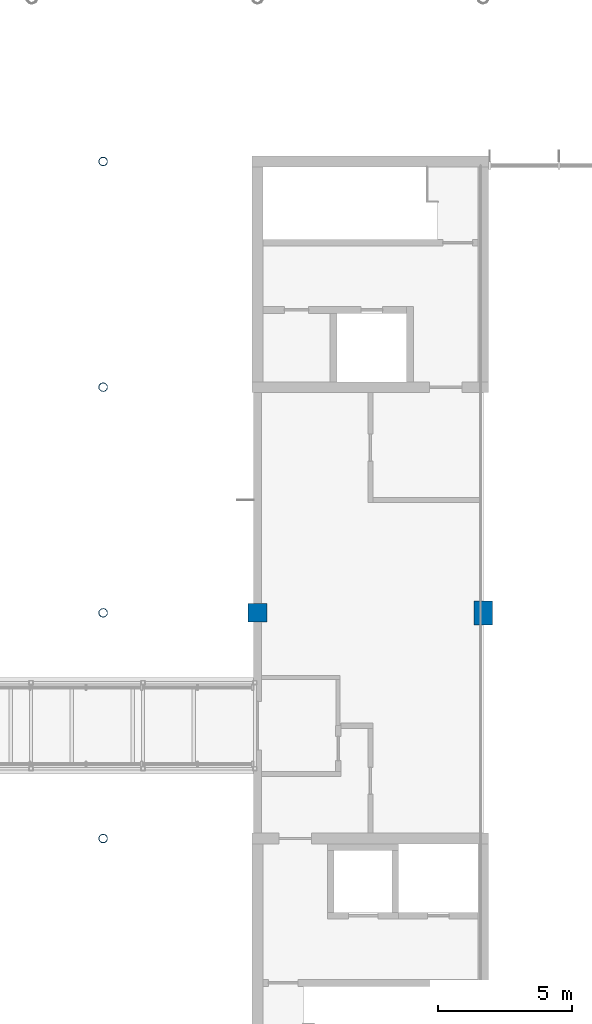
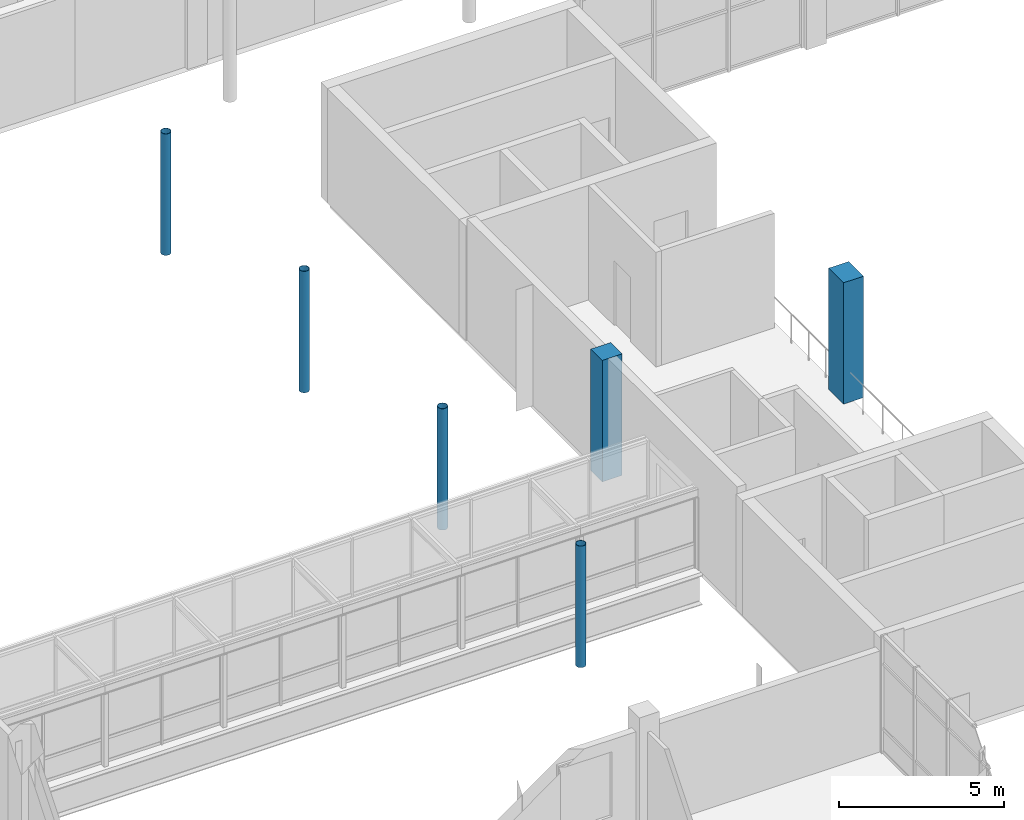
# One storey, part 2 of 70: 6 columns.
"""IFC4 building model written with IfcOpenShell, lengths in metres."""

from ifc_helpers import new_model, si_unit, direction, frame, origin, origin_2d, place, context, subcontext, project, spatial, rectangle, hollow_circle, extrude, material, material_profile, profile_set, type_object, element, save


model = new_model("IFC4")

# Units and contexts
model_context = context("Model", 3, precision=1e-05, world=origin(), true_north=direction((0.0, 1.0)))
body_context = subcontext(model_context, "Body", "Model", "MODEL_VIEW")
ifc_project = project(units=[si_unit("LENGTHUNIT", "METRE"), si_unit("AREAUNIT", "SQUARE_METRE"), si_unit("VOLUMEUNIT", "CUBIC_METRE"), si_unit("PLANEANGLEUNIT", "RADIAN"), si_unit("MASSUNIT", "GRAM", prefix="KILO")], contexts=[model_context])

# Site, building, storey
site_placement = place(None, origin())
site = spatial("IfcSite", under=ifc_project, at=site_placement, CompositionType="ELEMENT")
building_placement = place(site_placement, origin())
building = spatial("IfcBuilding", under=site, at=building_placement, Name="Hlaing Beacon Police Headquarters", CompositionType="ELEMENT")
storey_placement = place(building_placement, frame((0.0, 0.0, 5.39990234375)))
storey = spatial("IfcBuildingStorey", under=building, at=storey_placement, Name="L01", CompositionType="ELEMENT", Elevation=5.39990234375)

# Columns
ifc_material_1 = material(Name="Steel ASTM A500 Grade C", Category="steel")
ifc_material_profile_1 = material_profile(ifc_material_1, hollow_circle(Radius=0.161865234375, WallThickness=0.0126953125, at=origin_2d()), Name="HSS12.750x0.500")
ifc_profile_set_1 = profile_set([ifc_material_profile_1], Name="Steel ASTM A500 Grade C")
column_type_1 = type_object("IfcColumnType", Name="Eave post HSS12.750x0.500", PredefinedType="COLUMN", material=ifc_profile_set_1)
for number, where, z_axis, x_axis, name in (
    (1, (53.050048828125, 42.0, 0.0), (0.0, 0.0, 1.0), (1.0, 0.0, 0.0), "STR-RT-V1-EP2-L01"),
    (2, (53.050048828125, 50.39990234375, 0.0), (0.0, 0.0, 1.0), (1.0, 0.0, 0.0), "STR-RT-V1-EP3-L01"),
    (3, (53.050048828125, 58.800048828125, 0.0), (0.0, 0.0, 1.0), (1.0, 0.0, 0.0), "STR-RT-V1-EP4-L01"),
    (4, (53.050048828125, 67.199951171875, 0.0), (0.0, 0.0, 1.0), (1.0, 0.0, 0.0), "STR-RT-V1-EP5-L01"),
):
    element("IfcColumn", number, at=place(storey_placement, frame(where, z_axis=z_axis, x_axis=x_axis)), inside=storey, type_object=column_type_1, Name=name, PredefinedType="COLUMN", context=body_context, shape_type="SweptSolid", body=[
        extrude(hollow_circle(Radius=0.161865234375, WallThickness=0.0126953125, at=origin_2d()), origin(), (0.0, 0.0, 1.0), 4.5),
    ])
ifc_material_2 = material(Name="Concrete C50/60", Category="concrete")
ifc_material_profile_2 = material_profile(ifc_material_2, rectangle(XDim=0.699951171875, YDim=0.699951171875, at=origin_2d()), Name="700x700")
ifc_profile_set_2 = profile_set([ifc_material_profile_2], Name="Concrete C50/60")
column_type_2 = type_object("IfcColumnType", Name="RC column 700x700 C50/60", PredefinedType="COLUMN", material=ifc_profile_set_2)
column_1_placement = place(storey_placement, frame((58.800048828125, 50.39990234375, 0.0), z_axis=(0.0, 0.0, 1.0), x_axis=(1.0, 0.0, 0.0)))
element("IfcColumn", 5, at=column_1_placement, inside=storey, type_object=column_type_2, Name="STR-COL-L01-H7", PredefinedType="COLUMN", context=body_context, shape_type="SweptSolid", body=[
    extrude(rectangle(XDim=0.699951171875, YDim=0.699951171875, at=origin_2d()), origin(), (0.0, 0.0, 1.0), 4.5),
])
ifc_material_3 = material(Name="Concrete C50/60", Category="concrete")
ifc_material_profile_3 = material_profile(ifc_material_3, rectangle(XDim=0.699951171875, YDim=0.89990234375, at=origin_2d()), Name="700x900")
ifc_profile_set_3 = profile_set([ifc_material_profile_3], Name="Concrete C50/60")
column_type_3 = type_object("IfcColumnType", Name="RC column 700x900 C50/60", PredefinedType="COLUMN", material=ifc_profile_set_3)
column_2_placement = place(storey_placement, frame((67.199951171875, 50.39990234375, 0.0), z_axis=(0.0, 0.0, 1.0), x_axis=(1.0, 0.0, 0.0)))
element("IfcColumn", 6, at=column_2_placement, inside=storey, type_object=column_type_3, Name="STR-COL-L01-J7", PredefinedType="COLUMN", context=body_context, shape_type="SweptSolid", body=[
    extrude(rectangle(XDim=0.699951171875, YDim=0.89990234375, at=origin_2d()), origin(), (0.0, 0.0, 1.0), 4.5),
])

save(model, "model.ifc")
